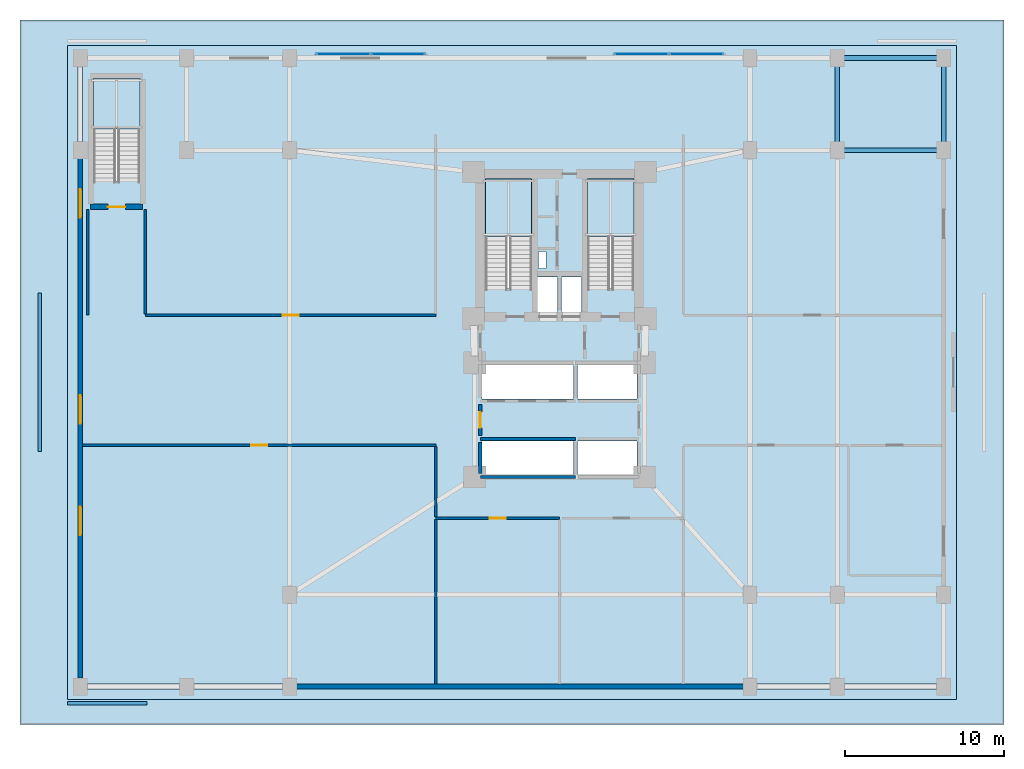
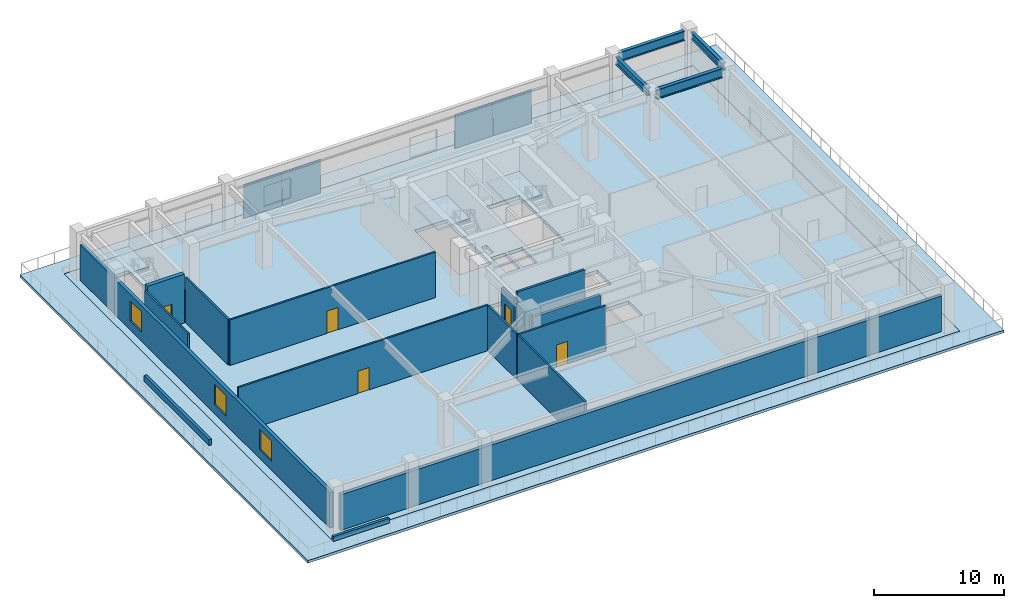
# One storey, part 5 of 9: 16 walls, 5 doors, 5 slabs, 4 beams, 4 plates, 3 windows, 8 openings, 5 elements without a shape of their own.
"""IFC4 building model written with IfcOpenShell, lengths in metres."""

from ifc_helpers import new_model, si_unit, direction, frame, frame_2d, origin, origin_2d, place, context, subcontext, project, spatial, polyline, rectangle, i_section, outline, extrude, source, transform, mapped, material, layer, layer_set, material_profile, profile_set, type_object, type_shapes, element, fill, aggregate, save


model = new_model("IFC4")

# Units and contexts
model_context = context("Model", 3, precision=1e-05, world=origin(), true_north=direction((0.0, 1.0)))
body_context = subcontext(model_context, "Body", "Model", "MODEL_VIEW")
ifc_project = project(units=[si_unit("LENGTHUNIT", "METRE"), si_unit("AREAUNIT", "SQUARE_METRE"), si_unit("VOLUMEUNIT", "CUBIC_METRE"), si_unit("PLANEANGLEUNIT", "RADIAN"), si_unit("MASSUNIT", "GRAM", prefix="KILO")], contexts=[model_context])

# Site, building, storey
site_placement = place(None, origin())
site = spatial("IfcSite", under=ifc_project, at=site_placement, CompositionType="ELEMENT")
building_placement = place(site_placement, origin())
building = spatial("IfcBuilding", under=site, at=building_placement, Name="Varnakorn Sky Granary", CompositionType="ELEMENT")
storey_placement = place(building_placement, frame((0.0, 0.0, 18.39990234375)))
storey = spatial("IfcBuildingStorey", under=building, at=storey_placement, Name="L04", CompositionType="ELEMENT", Elevation=18.39990234375)

# Beams
ifc_material_1 = material(Name="Steel S355JR", Category="steel")
ifc_material_profile_1 = material_profile(ifc_material_1, i_section(OverallWidth=0.300048828125, OverallDepth=0.699951171875, WebThickness=0.01708984375, FlangeThickness=0.031982421875, at=origin_2d()), Name="HE 700 B")
ifc_profile_set_1 = profile_set([ifc_material_profile_1], Name="Steel S355JR")
beam_type_1 = type_object("IfcBeamType", Name="BM-PG-700", PredefinedType="T_BEAM", material=ifc_profile_set_1)
for number, where, z_axis, x_axis, name in (
    (1, (20.5, 14.419921875, 3.93017578125), (0.0, 1.0, 0.0), (-1.0, 0.0, 0.0), "Podium Y-Girder GY28 L04"),
    (2, (27.199951171875, 14.419921875, 3.93017578125), (0.0, 1.0, 0.0), (-1.0, 0.0, 0.0), "Podium Y-Girder GY31 L04"),
):
    element("IfcBeam", number, at=place(storey_placement, frame(where, z_axis=z_axis, x_axis=x_axis)), inside=storey, type_object=beam_type_1, Name=name, PredefinedType="T_BEAM", context=body_context, shape_type="SweptSolid", body=[
        extrude(i_section(OverallWidth=0.300048828125, OverallDepth=0.699951171875, WebThickness=0.01708984375, FlangeThickness=0.031982421875, at=origin_2d()), origin(), (0.0, 0.0, 1.0), 4.9599609375),
    ])
ifc_material_profile_2 = material_profile(ifc_material_1, i_section(OverallWidth=0.300048828125, OverallDepth=0.89990234375, WebThickness=0.0185546875, FlangeThickness=0.034912109375, at=origin_2d()), Name="HE 900 B")
ifc_profile_set_2 = profile_set([ifc_material_profile_2], Name="Steel S355JR")
beam_type_2 = type_object("IfcBeamType", Name="BM-PG-900", PredefinedType="BEAM", material=ifc_profile_set_2)
for number, where, z_axis, x_axis, name in (
    (3, (20.919921875, 14.0, 3.830078125), (1.0, 0.0, 0.0), (0.0, 1.0, 0.0), "Podium X-Girder GX12 L04"),
    (4, (20.919921875, 19.800048828125, 3.830078125), (1.0, 0.0, 0.0), (0.0, 1.0, 0.0), "Podium X-Girder GX17 L04"),
):
    element("IfcBeam", number, at=place(storey_placement, frame(where, z_axis=z_axis, x_axis=x_axis)), inside=storey, type_object=beam_type_2, Name=name, PredefinedType="BEAM", context=body_context, shape_type="SweptSolid", body=[
        extrude(i_section(OverallWidth=0.300048828125, OverallDepth=0.89990234375, WebThickness=0.0185546875, FlangeThickness=0.034912109375, at=origin_2d()), origin(), (0.0, 0.0, 1.0), 5.860107421875),
    ])

# Stair, slab
ifc_material_2 = material(Name="Concrete C40/50", Category="concrete")
stair_type = type_object("IfcStairType", Name="ST-MAIN-ASSEMBLY", PredefinedType="HALF_TURN_STAIR", material=ifc_material_2)
stair_1_placement = place(storey_placement, origin())
stair_1 = element("IfcStair", 5, at=stair_1_placement, inside=storey, type_object=stair_type, Name="L04 Protected Exit Stair ST-1", PredefinedType="HALF_TURN_STAIR")
ifc_layer_1 = layer(ifc_material_2, 0.199951171875, Name="Concrete C40/50")
ifc_layer_set_1 = layer_set([ifc_layer_1], Name="Concrete C40/50")
slab_type_1 = type_object("IfcSlabType", Name="ST-MAIN-LAND", PredefinedType="LANDING", material=ifc_layer_set_1)
slab_1_placement = place(storey_placement, frame((0.0, 0.0, 2.10009765625)))
slab_1 = element("IfcSlab", 6, at=slab_1_placement, type_object=slab_type_1, Name="ST-1 landing 1", PredefinedType="LANDING", context=body_context, shape_type="SweptSolid", body=[
    extrude(outline(polyline([(1.239990234375, 8.56005859375), (1.239990234375, 12.179931640625), (-1.669921875, 12.179931640625), (-1.669921875, 8.56005859375), (1.239990234375, 8.56005859375)])), origin(), (0.0, 0.0, 1.0), 0.199951171875),
])
aggregate(stair_1, [slab_1])

stair_2_placement = place(storey_placement, origin())
stair_2 = element("IfcStair", 7, at=stair_2_placement, inside=storey, type_object=stair_type, Name="L04 Protected Exit Stair ST-2", PredefinedType="HALF_TURN_STAIR")
slab_2_placement = place(storey_placement, frame((0.0, 0.0, 2.10009765625)))
slab_2 = element("IfcSlab", 8, at=slab_2_placement, type_object=slab_type_1, Name="ST-2 landing 1", PredefinedType="LANDING", context=body_context, shape_type="SweptSolid", body=[
    extrude(outline(polyline([(7.679931640625, 8.56005859375), (7.679931640625, 12.179931640625), (4.77001953125, 12.179931640625), (4.77001953125, 8.56005859375), (7.679931640625, 8.56005859375)])), origin(), (0.0, 0.0, 1.0), 0.199951171875),
])
aggregate(stair_2, [slab_2])

stair_3_placement = place(storey_placement, origin())
stair_3 = element("IfcStair", 9, at=stair_3_placement, inside=storey, type_object=stair_type, Name="L04 Podium and Basement Protected Exit Stair ST-B3", PredefinedType="HALF_TURN_STAIR")
slab_3_placement = place(storey_placement, frame((0.0, 0.0, 2.10009765625)))
slab_3 = element("IfcSlab", 10, at=slab_3_placement, type_object=slab_type_1, Name="ST-B3 landing 1", PredefinedType="LANDING", context=body_context, shape_type="SweptSolid", body=[
    extrude(outline(polyline([(-23.449951171875, 15.340087890625), (-23.449951171875, 18.5), (-26.360107421875, 18.5), (-26.360107421875, 15.340087890625), (-23.449951171875, 15.340087890625)])), origin(), (0.0, 0.0, 1.0), 0.199951171875),
])
aggregate(stair_3, [slab_3])

# Slabs
ifc_material_3 = material(Name="Concrete C50/60", Category="concrete")
ifc_layer_2 = layer(ifc_material_3, 0.320068359375, Name="Concrete C50/60")
ifc_layer_set_2 = layer_set([ifc_layer_2], Name="Concrete C50/60")
slab_type_2 = type_object("IfcSlabType", Name="ST-SL-POD-320", PredefinedType="FLOOR", material=ifc_layer_set_2)
slab_4_placement = place(storey_placement, frame((0.0, 0.0, -0.31982421875)))
element("IfcSlab", 11, at=slab_4_placement, inside=storey, type_object=slab_type_2, Name="Level L04 Structural Floor Slab", PredefinedType="FLOOR", context=body_context, shape_type="SweptSolid", body=[
    extrude(outline(polyline([(-28.0, -20.60009765625), (28.0, -20.60009765625), (28.0, 20.60009765625), (-28.0, 20.60009765625), (-28.0, -20.60009765625)]), holes=[polyline([(1.239990234375, 5.27490234375), (1.239990234375, 12.179931640625), (-1.669921875, 12.179931640625), (-1.669921875, 5.27490234375), (1.239990234375, 5.27490234375)]), polyline([(7.679931640625, 5.27490234375), (7.679931640625, 12.179931640625), (4.77001953125, 12.179931640625), (4.77001953125, 5.27490234375), (7.679931640625, 5.27490234375)]), polyline([(-23.449951171875, 12.054931640625), (-23.449951171875, 18.5), (-26.360107421875, 18.5), (-26.360107421875, 12.054931640625), (-23.449951171875, 12.054931640625)]), polyline([(1.659912109375, 6.550048828125), (2.14990234375, 6.550048828125), (2.14990234375, 7.6201171875), (1.659912109375, 7.6201171875), (1.659912109375, 6.550048828125)]), polyline([(1.6201171875, 3.739990234375), (2.8798828125, 3.739990234375), (2.8798828125, 6.010009765625), (1.6201171875, 6.010009765625), (1.6201171875, 3.739990234375)]), polyline([(3.1201171875, 3.739990234375), (4.3798828125, 3.739990234375), (4.3798828125, 6.010009765625), (3.1201171875, 6.010009765625), (3.1201171875, 3.739990234375)]), polyline([(-1.8798828125, -1.679931640625), (3.8798828125, -1.679931640625), (3.8798828125, 0.47998046875), (-1.8798828125, 0.47998046875), (-1.8798828125, -1.679931640625)]), polyline([(4.1201171875, -1.679931640625), (7.8798828125, -1.679931640625), (7.8798828125, 0.47998046875), (4.1201171875, 0.47998046875), (4.1201171875, -1.679931640625)]), polyline([(-1.8798828125, -6.47998046875), (3.8798828125, -6.47998046875), (3.8798828125, -4.320068359375), (-1.8798828125, -4.320068359375), (-1.8798828125, -6.47998046875)]), polyline([(4.1201171875, -6.47998046875), (7.8798828125, -6.47998046875), (7.8798828125, -4.320068359375), (4.1201171875, -4.320068359375), (4.1201171875, -6.47998046875)])]), origin(), (0.0, 0.0, 1.0), 0.31982421875),
])
ifc_layer_3 = layer(ifc_material_3, 0.25, Name="Concrete C50/60")
ifc_layer_set_3 = layer_set([ifc_layer_3], Name="Concrete C50/60")
slab_type_3 = type_object("IfcSlabType", Name="ST-SL-TERR-250", PredefinedType="FLOOR", material=ifc_layer_set_3)
slab_5_placement = place(storey_placement, frame((0.0, 0.0, -0.25)))
element("IfcSlab", 12, at=slab_5_placement, inside=storey, type_object=slab_type_3, Name="Cascading Planted Garden Terrace L04", PredefinedType="FLOOR", context=body_context, shape_type="SweptSolid", body=[
    extrude(outline(polyline([(-31.0, -22.199951171875), (31.0, -22.199951171875), (31.0, 22.199951171875), (-31.0, 22.199951171875), (-31.0, -22.199951171875)]), holes=[polyline([(-28.0, -20.60009765625), (28.0, -20.60009765625), (28.0, 20.60009765625), (-28.0, 20.60009765625), (-28.0, -20.60009765625)])]), origin(), (0.0, 0.0, 1.0), 0.25),
])

# Curtain wall, plates
ifc_material_4 = material(Name="Anodised Bronze Aluminium Alloy 6063-T6", Category="aluminium")
ifc_layer_4 = layer(ifc_material_4, 0.2099609375, Name="Anodised Bronze Aluminium Alloy 6063-T6")
ifc_layer_set_4 = layer_set([ifc_layer_4], Name="Anodised Bronze Aluminium Alloy 6063-T6")
curtain_wall_type = type_object("IfcCurtainWallType", Name="CW-POD-2", PredefinedType="USERDEFINED", material=ifc_layer_set_4)
curtain_wall_1_placement = place(storey_placement, origin())
curtain_wall_1 = element("IfcCurtainWall", 13, at=curtain_wall_1_placement, inside=storey, type_object=curtain_wall_type, Name="Unitised Curtain Wall CW2 CW-L04-P1", ObjectType="CURTAIN WALL", PredefinedType="USERDEFINED")
ifc_material_5 = material(Name="Low-E Tinted Laminated Glass", Category="glass")
ifc_layer_5 = layer(ifc_material_5, 0.030029296875, Name="Low-E Tinted Laminated Glass")
ifc_layer_set_5 = layer_set([ifc_layer_5], Name="Low-E Tinted Laminated Glass")
plate_type = type_object("IfcPlateType", Name="CW-POD-2-PNL", PredefinedType="CURTAIN_PANEL")
shared_shape = source(origin(), body_context, "Body", "SweptSolid", [
    extrude(rectangle(XDim=3.387451171875, YDim=0.030029296875, at=origin_2d()), origin(), (0.0, 0.0, 1.0), 3.2099609375),
])
type_shapes(plate_type, [shared_shape])
plate_1_placement = place(storey_placement, frame((-10.63134765625, 20.050048828125, 0.070068359375), z_axis=(0.0, 0.0, 1.0), x_axis=(1.0, 0.0, 0.0)))
plate_1 = element("IfcPlate", 14, at=plate_1_placement, type_object=plate_type, material=ifc_layer_set_5, Name="CW2 vision glazing unit 1.1", PredefinedType="CURTAIN_PANEL", context=body_context, shape_type="MappedRepresentation", body=[
    mapped(shared_shape, transform((0.0, 0.0, 0.0), x_axis=(1.0, 0.0, 0.0), y_axis=(0.0, 1.0, 0.0), z_axis=(0.0, 0.0, 1.0), scale=1.0)),
])
plate_2_placement = place(storey_placement, frame((-7.168701171875, 20.050048828125, 0.070068359375), z_axis=(0.0, 0.0, 1.0), x_axis=(1.0, 0.0, 0.0)))
plate_2 = element("IfcPlate", 15, at=plate_2_placement, type_object=plate_type, material=ifc_layer_set_5, Name="CW2 vision glazing unit 2.1", PredefinedType="CURTAIN_PANEL", context=body_context, shape_type="MappedRepresentation", body=[
    mapped(shared_shape, transform((0.0, 0.0, 0.0), x_axis=(1.0, 0.0, 0.0), y_axis=(0.0, 1.0, 0.0), z_axis=(0.0, 0.0, 1.0), scale=1.0)),
])
aggregate(curtain_wall_1, [plate_1, plate_2])

curtain_wall_2_placement = place(storey_placement, origin())
curtain_wall_2 = element("IfcCurtainWall", 16, at=curtain_wall_2_placement, inside=storey, type_object=curtain_wall_type, Name="Unitised Curtain Wall CW2 CW-L04-P2", ObjectType="CURTAIN WALL", PredefinedType="USERDEFINED")
plate_3_placement = place(storey_placement, frame((8.168701171875, 20.050048828125, 0.070068359375), z_axis=(0.0, 0.0, 1.0), x_axis=(1.0, 0.0, 0.0)))
plate_3 = element("IfcPlate", 17, at=plate_3_placement, type_object=plate_type, material=ifc_layer_set_5, Name="CW2 vision glazing unit 1.1", PredefinedType="CURTAIN_PANEL", context=body_context, shape_type="MappedRepresentation", body=[
    mapped(shared_shape, transform((0.0, 0.0, 0.0), x_axis=(1.0, 0.0, 0.0), y_axis=(0.0, 1.0, 0.0), z_axis=(0.0, 0.0, 1.0), scale=1.0)),
])
plate_4_placement = place(storey_placement, frame((11.63134765625, 20.050048828125, 0.070068359375), z_axis=(0.0, 0.0, 1.0), x_axis=(1.0, 0.0, 0.0)))
plate_4 = element("IfcPlate", 18, at=plate_4_placement, type_object=plate_type, material=ifc_layer_set_5, Name="CW2 vision glazing unit 2.1", PredefinedType="CURTAIN_PANEL", context=body_context, shape_type="MappedRepresentation", body=[
    mapped(shared_shape, transform((0.0, 0.0, 0.0), x_axis=(1.0, 0.0, 0.0), y_axis=(0.0, 1.0, 0.0), z_axis=(0.0, 0.0, 1.0), scale=1.0)),
])
aggregate(curtain_wall_2, [plate_3, plate_4])

# Wall, opening, door
ifc_layer_6 = layer(ifc_material_3, 0.35009765625, Name="Concrete C50/60")
ifc_layer_set_6 = layer_set([ifc_layer_6], Name="Concrete C50/60")
wall_type_1 = type_object("IfcWallType", Name="WT-CW-INT-350", PredefinedType="SHEAR", material=ifc_layer_set_6)
wall_1_placement = place(storey_placement, frame((-26.550048828125, 10.419921875, 0.0), z_axis=(0.0, 0.0, 1.0), x_axis=(1.0, 0.0, 0.0)))
wall_1 = element("IfcWall", 19, at=wall_1_placement, inside=storey, type_object=wall_type_1, Name="Podium Stair ST-B3 South Wall L04", PredefinedType="SHEAR", context=body_context, shape_type="SweptSolid", body=[
    extrude(rectangle(XDim=3.280029296875, YDim=0.35009765625, at=frame_2d((1.64013671875, 0.0))), origin(), (0.0, 0.0, 1.0), 4.592041015625),
])
opening_1_placement = place(wall_1_placement, frame((1.090087890625, 0.0, 0.0)))
opening_1 = element("IfcOpeningElement", 20, at=opening_1_placement, cuts=wall_1, Name="Opening FD-90", PredefinedType="OPENING", context=body_context, shape_type="SweptSolid", body=[
    extrude(rectangle(XDim=1.10009765625, YDim=2.14990234375, at=frame_2d((0.550048828125, 1.074951171875))), frame((0.0, 0.18505859375, 0.0), z_axis=(0.0, -1.0, 0.0), x_axis=(1.0, 0.0, 0.0)), (0.0, 0.0, 1.0), 0.3701171875),
])
ifc_material_6 = material(Name="Galvanised Painted Steel Leaf", Category="steel")
door_type_1 = type_object("IfcDoorType", Name="DR-STAIR-1100", OperationType="NOTDEFINED", PredefinedType="DOOR", material=ifc_material_6)
door_1_placement = place(opening_1_placement, origin())
door_1 = element("IfcDoor", 21, at=door_1_placement, inside=storey, type_object=door_type_1, Name="Basement Stair ST-B3 Protected Fire Door L04", OperationType="SINGLE_SWING_LEFT", OverallHeight=2.14990234375, OverallWidth=1.10009765625, PredefinedType="DOOR", context=body_context, shape_type="SweptSolid", body=[
    extrude(rectangle(XDim=1.10009765625, YDim=2.14990234375, at=frame_2d((0.550048828125, 1.074951171875))), frame((0.0, 0.02490234375, 0.0), z_axis=(0.0, -1.0, 0.0), x_axis=(1.0, 0.0, 0.0)), (0.0, 0.0, 1.0), 0.050048828125),
])
fill(opening_1, door_1)

# Wall, openings, windows
ifc_material_7 = material(Name="Precast concrete C40/50", Category="concrete")
ifc_layer_7 = layer(ifc_material_7, 0.300048828125, Name="Precast concrete C40/50")
ifc_layer_set_7 = layer_set([ifc_layer_7], Name="Precast concrete C40/50")
wall_type_2 = type_object("IfcWallType", Name="WT-EW-POD-300", PredefinedType="SOLIDWALL", material=ifc_layer_set_7)
wall_2_placement = place(storey_placement, frame((-27.199951171875, -19.2548828125, 0.0), z_axis=(0.0, 0.0, 1.0), x_axis=(0.0, 1.0, 0.0)))
wall_2 = element("IfcWall", 22, at=wall_2_placement, inside=storey, type_object=wall_type_2, Name="Podium Exterior Facade Wall L04-W", PredefinedType="SOLIDWALL", context=body_context, shape_type="SweptSolid", body=[
    extrude(rectangle(XDim=38.509765625, YDim=0.300048828125, at=frame_2d((19.2548828125, 0.0))), origin(), (0.0, 0.0, 1.0), 3.35009765625),
])
opening_2_placement = place(wall_2_placement, frame((9.0, 0.0, 0.85009765625)))
opening_2 = element("IfcOpeningElement", 23, at=opening_2_placement, cuts=wall_2, Name="Opening WN-02", PredefinedType="OPENING", context=body_context, shape_type="SweptSolid", body=[
    extrude(rectangle(XDim=1.800048828125, YDim=1.89990234375, at=frame_2d((0.89990234375, 0.949951171875))), frame((0.0, 0.16015625, 0.0), z_axis=(0.0, -1.0, 0.0), x_axis=(1.0, 0.0, 0.0)), (0.0, 0.0, 1.0), 0.320068359375),
])
opening_3_placement = place(wall_2_placement, frame((16.0, 0.0, 0.85009765625)))
opening_3 = element("IfcOpeningElement", 24, at=opening_3_placement, cuts=wall_2, Name="Opening WN-02", PredefinedType="OPENING", context=body_context, shape_type="SweptSolid", body=[
    extrude(rectangle(XDim=1.800048828125, YDim=1.89990234375, at=frame_2d((0.89990234375, 0.949951171875))), frame((0.0, 0.16015625, 0.0), z_axis=(0.0, -1.0, 0.0), x_axis=(1.0, 0.0, 0.0)), (0.0, 0.0, 1.0), 0.320068359375),
])
opening_4_placement = place(wall_2_placement, frame((29.0, 0.0, 0.85009765625)))
opening_4 = element("IfcOpeningElement", 25, at=opening_4_placement, cuts=wall_2, Name="Opening WN-02", PredefinedType="OPENING", context=body_context, shape_type="SweptSolid", body=[
    extrude(rectangle(XDim=1.800048828125, YDim=1.89990234375, at=frame_2d((0.89990234375, 0.949951171875))), frame((0.0, 0.16015625, 0.0), z_axis=(0.0, -1.0, 0.0), x_axis=(1.0, 0.0, 0.0)), (0.0, 0.0, 1.0), 0.320068359375),
])
window_type = type_object("IfcWindowType", Name="WN-POD-1800", PartitioningType="SINGLE_PANEL", PredefinedType="WINDOW", material=ifc_material_5)
window_1_placement = place(opening_2_placement, origin())
window_1 = element("IfcWindow", 26, at=window_1_placement, inside=storey, type_object=window_type, Name="Podium Facade Window L04-W", OverallHeight=1.89990234375, OverallWidth=1.800048828125, PartitioningType="SINGLE_PANEL", PredefinedType="WINDOW", context=body_context, shape_type="SweptSolid", body=[
    extrude(rectangle(XDim=1.800048828125, YDim=1.89990234375, at=frame_2d((0.89990234375, 0.949951171875))), frame((0.0, 0.030029296875, 0.0), z_axis=(0.0, -1.0, 0.0), x_axis=(1.0, 0.0, 0.0)), (0.0, 0.0, 1.0), 0.06005859375),
])
fill(opening_2, window_1)
window_2_placement = place(opening_3_placement, origin())
window_2 = element("IfcWindow", 27, at=window_2_placement, inside=storey, type_object=window_type, Name="Podium Facade Window L04-W", OverallHeight=1.89990234375, OverallWidth=1.800048828125, PartitioningType="SINGLE_PANEL", PredefinedType="WINDOW", context=body_context, shape_type="SweptSolid", body=[
    extrude(rectangle(XDim=1.800048828125, YDim=1.89990234375, at=frame_2d((0.89990234375, 0.949951171875))), frame((0.0, 0.030029296875, 0.0), z_axis=(0.0, -1.0, 0.0), x_axis=(1.0, 0.0, 0.0)), (0.0, 0.0, 1.0), 0.06005859375),
])
fill(opening_3, window_2)
window_3_placement = place(opening_4_placement, origin())
window_3 = element("IfcWindow", 28, at=window_3_placement, inside=storey, type_object=window_type, Name="Podium Facade Window L04-W", OverallHeight=1.89990234375, OverallWidth=1.800048828125, PartitioningType="SINGLE_PANEL", PredefinedType="WINDOW", context=body_context, shape_type="SweptSolid", body=[
    extrude(rectangle(XDim=1.800048828125, YDim=1.89990234375, at=frame_2d((0.89990234375, 0.949951171875))), frame((0.0, 0.030029296875, 0.0), z_axis=(0.0, -1.0, 0.0), x_axis=(1.0, 0.0, 0.0)), (0.0, 0.0, 1.0), 0.06005859375),
])
fill(opening_4, window_3)

# Wall
wall_3_placement = place(storey_placement, frame((26.7548828125, -19.800048828125, 0.0), z_axis=(0.0, 0.0, 1.0), x_axis=(-1.0, 0.0, 0.0)))
element("IfcWall", 29, at=wall_3_placement, inside=storey, type_object=wall_type_2, Name="Podium Exterior Facade Wall L04-S", PredefinedType="SOLIDWALL", context=body_context, shape_type="SweptSolid", body=[
    extrude(rectangle(XDim=53.509765625, YDim=0.300048828125, at=frame_2d((26.7548828125, 0.0))), origin(), (0.0, 0.0, 1.0), 3.35009765625),
])

# Wall, opening, door
ifc_material_8 = material(Name="Autoclaved Aerated Concrete Blockwork", Category="masonry")
ifc_layer_8 = layer(ifc_material_8, 0.199951171875, Name="Autoclaved Aerated Concrete Blockwork")
ifc_layer_set_8 = layer_set([ifc_layer_8], Name="Autoclaved Aerated Concrete Blockwork")
wall_type_3 = type_object("IfcWallType", Name="WT-FIRE-200", PredefinedType="MOVABLE", material=ifc_layer_set_8)
wall_4_placement = place(storey_placement, frame((-2.0, -3.969970703125, 0.0), z_axis=(0.0, 0.0, 1.0), x_axis=(0.0, 1.0, 0.0)))
wall_4 = element("IfcWall", 30, at=wall_4_placement, inside=storey, type_object=wall_type_3, Name="Interior Partition Wall L04-020", PredefinedType="MOVABLE", context=body_context, shape_type="SweptSolid", body=[
    extrude(rectangle(XDim=1.93994140625, YDim=0.199951171875, at=frame_2d((0.969970703125, 0.0))), origin(), (0.0, 0.0, 1.0), 3.362060546875),
])
opening_5_placement = place(wall_4_placement, frame((0.469970703125, 0.0, 0.0)))
opening_5 = element("IfcOpeningElement", 31, at=opening_5_placement, cuts=wall_4, Name="Opening FD-60", PredefinedType="OPENING", context=body_context, shape_type="SweptSolid", body=[
    extrude(rectangle(XDim=1.0, YDim=2.10009765625, at=frame_2d((0.5, 1.050048828125))), frame((0.0, 0.10986328125, 0.0), z_axis=(0.0, -1.0, 0.0), x_axis=(1.0, 0.0, 0.0)), (0.0, 0.0, 1.0), 0.219970703125),
])
ifc_material_9 = material(Name="Acoustic Timber Fire Leaf", Category="wood")
door_type_2 = type_object("IfcDoorType", Name="DR-FD60-1000", OperationType="NOTDEFINED", PredefinedType="DOOR", material=ifc_material_9)
door_2_placement = place(opening_5_placement, origin())
door_2 = element("IfcDoor", 32, at=door_2_placement, inside=storey, type_object=door_type_2, Name="Interior Door L04-020-1", OperationType="SINGLE_SWING_RIGHT", OverallHeight=2.10009765625, OverallWidth=1.0, PredefinedType="DOOR", context=body_context, shape_type="SweptSolid", body=[
    extrude(rectangle(XDim=1.0, YDim=2.10009765625, at=frame_2d((0.5, 1.050048828125))), frame((0.0, 0.02490234375, 0.0), z_axis=(0.0, -1.0, 0.0), x_axis=(1.0, 0.0, 0.0)), (0.0, 0.0, 1.0), 0.050048828125),
])
fill(opening_5, door_2)

ifc_material_10 = material(Name="Gypsum Plasterboard on Steel Stud", Category="steel")
ifc_layer_9 = layer(ifc_material_10, 0.14990234375, Name="Gypsum Plasterboard on Steel Stud")
ifc_layer_set_9 = layer_set([ifc_layer_9], Name="Gypsum Plasterboard on Steel Stud")
wall_type_4 = type_object("IfcWallType", Name="WT-PART-150", PredefinedType="PARTITIONING", material=ifc_layer_set_9)
wall_5_placement = place(storey_placement, frame((-4.800048828125, 3.60009765625, 0.0), z_axis=(0.0, 0.0, 1.0), x_axis=(-1.0, 0.0, 0.0)))
wall_5 = element("IfcWall", 33, at=wall_5_placement, inside=storey, type_object=wall_type_4, Name="Interior Partition Wall L04-022", PredefinedType="PARTITIONING", context=body_context, shape_type="SweptSolid", body=[
    extrude(rectangle(XDim=18.300048828125, YDim=0.14990234375, at=frame_2d((9.14990234375, 0.0))), origin(), (0.0, 0.0, 1.0), 4.280029296875),
])
opening_6_placement = place(wall_5_placement, frame((8.64990234375, 0.0, 0.0)))
opening_6 = element("IfcOpeningElement", 34, at=opening_6_placement, cuts=wall_5, Name="Opening ID-100", PredefinedType="OPENING", context=body_context, shape_type="SweptSolid", body=[
    extrude(rectangle(XDim=1.0, YDim=2.10009765625, at=frame_2d((0.5, 1.050048828125))), frame((0.0, 0.0849609375, 0.0), z_axis=(0.0, -1.0, 0.0), x_axis=(1.0, 0.0, 0.0)), (0.0, 0.0, 1.0), 0.169921875),
])
ifc_material_11 = material(Name="Solid-Core Teak Veneer Leaf", Category="timber")
door_type_3 = type_object("IfcDoorType", Name="DR-INT-1000", OperationType="NOTDEFINED", PredefinedType="DOOR", material=ifc_material_11)
door_3_placement = place(opening_6_placement, origin())
door_3 = element("IfcDoor", 35, at=door_3_placement, inside=storey, type_object=door_type_3, Name="Interior Door L04-022-1", OperationType="SINGLE_SWING_RIGHT", OverallHeight=2.10009765625, OverallWidth=1.0, PredefinedType="DOOR", context=body_context, shape_type="SweptSolid", body=[
    extrude(rectangle(XDim=1.0, YDim=2.10009765625, at=frame_2d((0.5, 1.050048828125))), frame((0.0, 0.02490234375, 0.0), z_axis=(0.0, -1.0, 0.0), x_axis=(1.0, 0.0, 0.0)), (0.0, 0.0, 1.0), 0.050048828125),
])
fill(opening_6, door_3)

wall_6_placement = place(storey_placement, frame((-27.050048828125, -4.60009765625, 0.0), z_axis=(0.0, 0.0, 1.0), x_axis=(1.0, 0.0, 0.0)))
wall_6 = element("IfcWall", 36, at=wall_6_placement, inside=storey, type_object=wall_type_4, Name="Interior Partition Wall L04-024", PredefinedType="PARTITIONING", context=body_context, shape_type="SweptSolid", body=[
    extrude(rectangle(XDim=22.25, YDim=0.14990234375, at=frame_2d((11.125, 0.0))), origin(), (0.0, 0.0, 1.0), 4.280029296875),
])
opening_7_placement = place(wall_6_placement, frame((10.625, 0.0, 0.0)))
opening_7 = element("IfcOpeningElement", 37, at=opening_7_placement, cuts=wall_6, Name="Opening ID-100", PredefinedType="OPENING", context=body_context, shape_type="SweptSolid", body=[
    extrude(rectangle(XDim=1.0, YDim=2.10009765625, at=frame_2d((0.5, 1.050048828125))), frame((0.0, 0.0849609375, 0.0), z_axis=(0.0, -1.0, 0.0), x_axis=(1.0, 0.0, 0.0)), (0.0, 0.0, 1.0), 0.169921875),
])
door_4_placement = place(opening_7_placement, origin())
door_4 = element("IfcDoor", 38, at=door_4_placement, inside=storey, type_object=door_type_3, Name="Interior Door L04-024-1", OperationType="SINGLE_SWING_RIGHT", OverallHeight=2.10009765625, OverallWidth=1.0, PredefinedType="DOOR", context=body_context, shape_type="SweptSolid", body=[
    extrude(rectangle(XDim=1.0, YDim=2.10009765625, at=frame_2d((0.5, 1.050048828125))), frame((0.0, 0.02490234375, 0.0), z_axis=(0.0, -1.0, 0.0), x_axis=(1.0, 0.0, 0.0)), (0.0, 0.0, 1.0), 0.050048828125),
])
fill(opening_7, door_4)

wall_7_placement = place(storey_placement, frame((-4.800048828125, -9.199951171875, 0.0), z_axis=(0.0, 0.0, 1.0), x_axis=(1.0, 0.0, 0.0)))
wall_7 = element("IfcWall", 39, at=wall_7_placement, inside=storey, type_object=wall_type_4, Name="Interior Partition Wall L04-027", PredefinedType="PARTITIONING", context=body_context, shape_type="SweptSolid", body=[
    extrude(rectangle(XDim=7.800048828125, YDim=0.14990234375, at=frame_2d((3.89990234375, 0.0))), origin(), (0.0, 0.0, 1.0), 4.280029296875),
])
opening_8_placement = place(wall_7_placement, frame((3.39990234375, 0.0, 0.0)))
opening_8 = element("IfcOpeningElement", 40, at=opening_8_placement, cuts=wall_7, Name="Opening ID-100", PredefinedType="OPENING", context=body_context, shape_type="SweptSolid", body=[
    extrude(rectangle(XDim=1.0, YDim=2.10009765625, at=frame_2d((0.5, 1.050048828125))), frame((0.0, 0.0849609375, 0.0), z_axis=(0.0, -1.0, 0.0), x_axis=(1.0, 0.0, 0.0)), (0.0, 0.0, 1.0), 0.169921875),
])
door_5_placement = place(opening_8_placement, origin())
door_5 = element("IfcDoor", 41, at=door_5_placement, inside=storey, type_object=door_type_3, Name="Interior Door L04-027-1", OperationType="SINGLE_SWING_LEFT", OverallHeight=2.10009765625, OverallWidth=1.0, PredefinedType="DOOR", context=body_context, shape_type="SweptSolid", body=[
    extrude(rectangle(XDim=1.0, YDim=2.10009765625, at=frame_2d((0.5, 1.050048828125))), frame((0.0, 0.02490234375, 0.0), z_axis=(0.0, -1.0, 0.0), x_axis=(1.0, 0.0, 0.0)), (0.0, 0.0, 1.0), 0.050048828125),
])
fill(opening_8, door_5)

# Walls
wall_8_placement = place(storey_placement, frame((-23.10009765625, 3.68505859375, 0.0), z_axis=(0.0, 0.0, 1.0), x_axis=(0.0, 1.0, 0.0)))
element("IfcWall", 42, at=wall_8_placement, inside=storey, type_object=wall_type_4, Name="Interior Partition Wall L04-032", PredefinedType="PARTITIONING", context=body_context, shape_type="SweptSolid", body=[
    extrude(rectangle(XDim=6.56494140625, YDim=0.14990234375, at=frame_2d((3.282470703125, 0.0))), origin(), (0.0, 0.0, 1.0), 4.280029296875),
])
wall_9_placement = place(storey_placement, frame((-26.72998046875, 10.25, 0.0), z_axis=(0.0, 0.0, 1.0), x_axis=(0.0, -1.0, 0.0)))
element("IfcWall", 43, at=wall_9_placement, inside=storey, type_object=wall_type_4, Name="Interior Partition Wall L04-033", PredefinedType="PARTITIONING", context=body_context, shape_type="SweptSolid", body=[
    extrude(rectangle(XDim=6.64990234375, YDim=0.14990234375, at=frame_2d((3.324951171875, 0.0))), origin(), (0.0, 0.0, 1.0), 4.280029296875),
])
wall_10_placement = place(storey_placement, frame((-4.800048828125, -4.68505859375, 0.0), z_axis=(0.0, 0.0, 1.0), x_axis=(0.0, -1.0, 0.0)))
element("IfcWall", 44, at=wall_10_placement, inside=storey, type_object=wall_type_4, Name="Interior Partition Wall L04-035", PredefinedType="PARTITIONING", context=body_context, shape_type="SweptSolid", body=[
    extrude(rectangle(XDim=4.429931640625, YDim=0.14990234375, at=frame_2d((2.21484375, 0.0))), origin(), (0.0, 0.0, 1.0), 4.280029296875),
])
wall_11_placement = place(storey_placement, frame((-4.800048828125, -9.284912109375, 0.0), z_axis=(0.0, 0.0, 1.0), x_axis=(0.0, -1.0, 0.0)))
element("IfcWall", 45, at=wall_11_placement, inside=storey, type_object=wall_type_4, Name="Interior Partition Wall L04-037", PredefinedType="PARTITIONING", context=body_context, shape_type="SweptSolid", body=[
    extrude(rectangle(XDim=10.364990234375, YDim=0.14990234375, at=frame_2d((5.1826171875, 0.0))), origin(), (0.0, 0.0, 1.0), 4.280029296875),
])
ifc_layer_10 = layer(ifc_material_8, 0.199951171875, Name="Autoclaved Aerated Concrete Blockwork")
ifc_layer_set_10 = layer_set([ifc_layer_10], Name="Autoclaved Aerated Concrete Blockwork")
wall_type_5 = type_object("IfcWallType", Name="WT-SHAFT-200", PredefinedType="SOLIDWALL", material=ifc_layer_set_10)
wall_12_placement = place(storey_placement, frame((-2.0, -4.199951171875, 0.0), z_axis=(0.0, 0.0, 1.0), x_axis=(1.0, 0.0, 0.0)))
element("IfcWall", 46, at=wall_12_placement, inside=storey, type_object=wall_type_5, Name="Interior Partition Wall L04-009", PredefinedType="SOLIDWALL", context=body_context, shape_type="SweptSolid", body=[
    extrude(rectangle(XDim=6.0, YDim=0.199951171875, at=frame_2d((3.0, 0.0))), origin(), (0.0, 0.0, 1.0), 4.280029296875),
])
wall_13_placement = place(storey_placement, frame((-2.0, -6.60009765625, 0.0), z_axis=(0.0, 0.0, 1.0), x_axis=(1.0, 0.0, 0.0)))
element("IfcWall", 47, at=wall_13_placement, inside=storey, type_object=wall_type_5, Name="Interior Partition Wall L04-010", PredefinedType="SOLIDWALL", context=body_context, shape_type="SweptSolid", body=[
    extrude(rectangle(XDim=6.0, YDim=0.199951171875, at=frame_2d((3.0, 0.0))), origin(), (0.0, 0.0, 1.0), 3.362060546875),
])
wall_14_placement = place(storey_placement, frame((-2.0, -6.3701171875, 0.0), z_axis=(0.0, 0.0, 1.0), x_axis=(0.0, 1.0, 0.0)))
element("IfcWall", 48, at=wall_14_placement, inside=storey, type_object=wall_type_5, Name="Interior Partition Wall L04-011", PredefinedType="SOLIDWALL", context=body_context, shape_type="SweptSolid", body=[
    extrude(rectangle(XDim=1.940185546875, YDim=0.199951171875, at=frame_2d((0.97021484375, 0.0))), origin(), (0.0, 0.0, 1.0), 3.362060546875),
])
ifc_layer_11 = layer(ifc_material_7, 0.219970703125, Name="Precast concrete C40/50")
ifc_layer_set_11 = layer_set([ifc_layer_11], Name="Precast concrete C40/50")
wall_type_6 = type_object("IfcWallType", Name="WT-WP-PAR-220", PredefinedType="PARAPET", material=ifc_layer_set_11)
wall_15_placement = place(storey_placement, frame((-28.0, -20.85009765625, 0.0), z_axis=(0.0, 0.0, 1.0), x_axis=(1.0, 0.0, 0.0)))
element("IfcWall", 49, at=wall_15_placement, inside=storey, type_object=wall_type_6, Name="Terrace Upstand Curb Parapet L04-3", PredefinedType="PARAPET", context=body_context, shape_type="SweptSolid", body=[
    extrude(rectangle(XDim=5.0, YDim=0.219970703125, at=frame_2d((2.5, 0.0))), origin(), (0.0, 0.0, 1.0), 0.4501953125),
])
ifc_layer_12 = layer(ifc_material_7, 0.239990234375, Name="Precast concrete C40/50")
ifc_layer_set_12 = layer_set([ifc_layer_12], Name="Precast concrete C40/50")
wall_type_7 = type_object("IfcWallType", Name="WT-WP-PLN-240", PredefinedType="PARAPET", material=ifc_layer_set_12)
wall_16_placement = place(storey_placement, frame((-29.75, -5.0, 0.0), z_axis=(0.0, 0.0, 1.0), x_axis=(0.0, 1.0, 0.0)))
element("IfcWall", 50, at=wall_16_placement, inside=storey, type_object=wall_type_7, Name="Cascading Terrace Cultivar Planter Bed PLANTER L04-1", PredefinedType="PARAPET", context=body_context, shape_type="SweptSolid", body=[
    extrude(rectangle(XDim=10.0, YDim=0.239990234375, at=frame_2d((5.0, 0.0))), origin(), (0.0, 0.0, 1.0), 0.550048828125),
])

save(model, "model.ifc")
